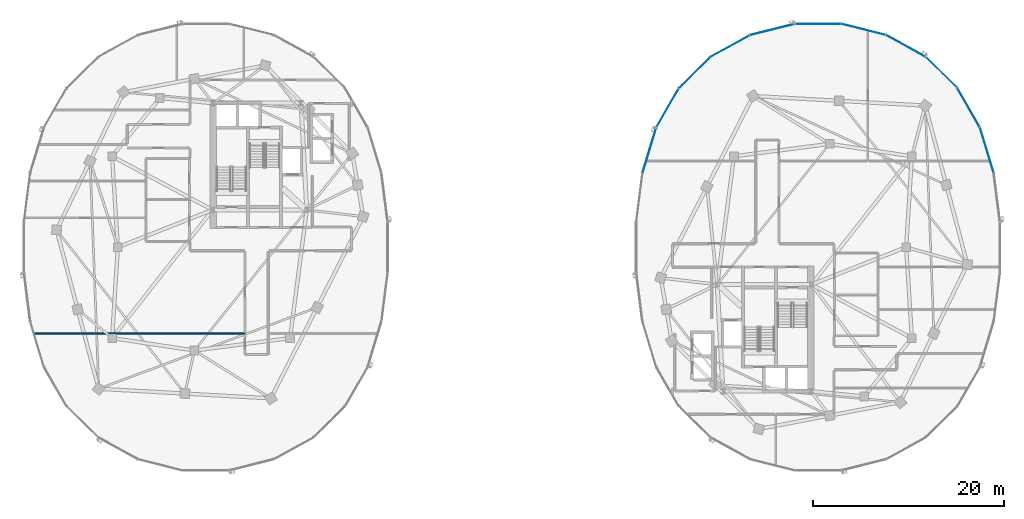
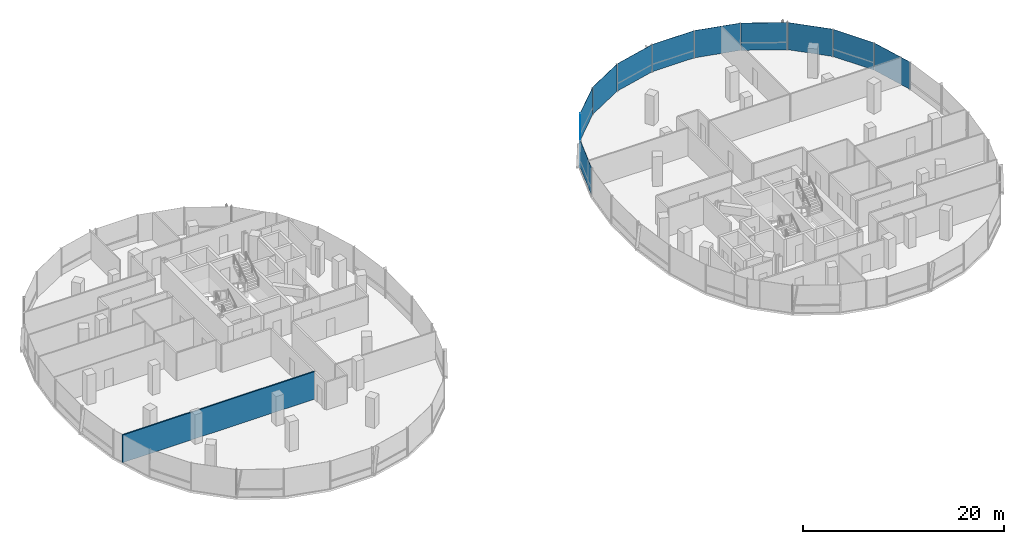
# One storey, part 11 of 22: 11 plates, 1 wall, 2 elements without a shape of their own.
"""IFC4 building model written with IfcOpenShell, lengths in metres."""

from ifc_helpers import new_model, si_unit, direction, frame, frame_2d, origin, origin_2d, place, context, subcontext, project, spatial, rectangle, extrude, material, layer, layer_set, type_object, element, aggregate, save


model = new_model("IFC4")

# Units and contexts
model_context = context("Model", 3, precision=1e-05, world=origin(), true_north=direction((0.0, 1.0)))
body_context = subcontext(model_context, "Body", "Model", "MODEL_VIEW")
ifc_project = project(units=[si_unit("LENGTHUNIT", "METRE"), si_unit("AREAUNIT", "SQUARE_METRE"), si_unit("VOLUMEUNIT", "CUBIC_METRE"), si_unit("PLANEANGLEUNIT", "RADIAN"), si_unit("MASSUNIT", "GRAM", prefix="KILO"), si_unit("THERMODYNAMICTEMPERATUREUNIT", "KELVIN"), si_unit("POWERUNIT", "WATT")], contexts=[model_context])

# Site, building, storey
site_placement = place(None, origin())
site = spatial("IfcSite", under=ifc_project, at=site_placement, CompositionType="ELEMENT")
building_placement = place(site_placement, origin())
building = spatial("IfcBuilding", under=site, at=building_placement, Name="Cundina Bronze Exchange", CompositionType="ELEMENT")
storey_placement = place(building_placement, frame((0.0, 0.0, 154.800048828125)))
storey = spatial("IfcBuildingStorey", under=building, at=storey_placement, Name="L40", CompositionType="ELEMENT", Elevation=154.800048828125)

# Curtain wall, plates
ifc_material_1 = material(Name="Anodised Bronze Aluminium 6063-T6", Category="aluminium")
curtain_wall_type = type_object("IfcCurtainWallType", Name="CWS-WST-PIN", PredefinedType="NOTDEFINED", material=ifc_material_1)
curtain_wall_1_placement = place(storey_placement, origin())
curtain_wall_1 = element("IfcCurtainWall", 1, at=curtain_wall_1_placement, inside=storey, type_object=curtain_wall_type, Name="L40 CW-04 Curtain Wall Run CWR-L40-E1", PredefinedType="NOTDEFINED")
ifc_material_2 = material(Name="Heat-Strengthened Solar-Control Bronze Safety Glass 28mm", Category="glass")
ifc_layer_1 = layer(ifc_material_2, 0.028076171875, Name="Heat-Strengthened Solar-Control Bronze Safety Glass 28mm", Category="glass")
ifc_layer_set_1 = layer_set([ifc_layer_1], Name="Heat-Strengthened Solar-Control Bronze Safety Glass 28mm")
plate_type_1 = type_object("IfcPlateType", Name="PLT-GLZ-VIS28", PredefinedType="CURTAIN_PANEL", material=ifc_layer_set_1)
plate_1_placement = place(storey_placement, frame((49.63330078125, 10.14208984375, 0.02001953125), z_axis=(0.0, 0.0, 1.0), x_axis=(-0.290050843957, 0.957011237092, 0.0)))
plate_1 = element("IfcPlate", 2, at=plate_1_placement, type_object=plate_type_1, Name="CW-04 Glazed Panel 2", PredefinedType="CURTAIN_PANEL", context=body_context, shape_type="SweptSolid", body=[
    extrude(rectangle(XDim=4.885009765625, YDim=0.028076171875, at=origin_2d()), origin(), (0.0, 0.0, 1.0), 3.320068359375),
])
plate_2_placement = place(storey_placement, frame((47.734375, 14.564697265625, 0.02001953125), z_axis=(0.0, 0.0, 1.0), x_axis=(-0.498487739754, 0.866896748936, 0.0)))
plate_2 = element("IfcPlate", 3, at=plate_2_placement, type_object=plate_type_1, Name="CW-04 Glazed Panel 3", PredefinedType="CURTAIN_PANEL", context=body_context, shape_type="SweptSolid", body=[
    extrude(rectangle(XDim=4.676513671875, YDim=0.028076171875, at=origin_2d()), origin(), (0.0, 0.0, 1.0), 3.320068359375),
])
plate_3_placement = place(storey_placement, frame((44.894775390625, 18.253662109375, 0.02001953125), z_axis=(0.0, 0.0, 1.0), x_axis=(-0.711989280367, 0.702190333629, 0.0)))
plate_3 = element("IfcPlate", 4, at=plate_3_placement, type_object=plate_type_1, Name="CW-04 Glazed Panel 4", PredefinedType="CURTAIN_PANEL", context=body_context, shape_type="SweptSolid", body=[
    extrude(rectangle(XDim=4.6025390625, YDim=0.028076171875, at=origin_2d()), origin(), (0.0, 0.0, 1.0), 3.320068359375),
])
plate_4_placement = place(storey_placement, frame((36.76513671875, 22.75244140625, 0.02001953125), z_axis=(0.0, 0.0, 1.0), x_axis=(-0.970092713791, 0.242734683656, 0.0)))
plate_4 = element("IfcPlate", 5, at=plate_4_placement, type_object=plate_type_1, Name="CW-04 Glazed Panel 6", PredefinedType="CURTAIN_PANEL", context=body_context, shape_type="SweptSolid", body=[
    extrude(rectangle(XDim=4.7548828125, YDim=0.028076171875, at=origin_2d()), origin(), (0.0, 0.0, 1.0), 3.320068359375),
])
plate_5_placement = place(storey_placement, frame((32.0, 23.3369140625, 0.02001953125), z_axis=(0.0, 0.0, 1.0), x_axis=(-1.0, 0.0, 0.0)))
plate_5 = element("IfcPlate", 6, at=plate_5_placement, type_object=plate_type_1, Name="CW-04 Glazed Panel 7", PredefinedType="CURTAIN_PANEL", context=body_context, shape_type="SweptSolid", body=[
    extrude(rectangle(XDim=4.7958984375, YDim=0.028076171875, at=origin_2d()), origin(), (0.0, 0.0, 1.0), 3.320068359375),
])

curtain_wall_2_placement = place(storey_placement, origin())
curtain_wall_2 = element("IfcCurtainWall", 7, at=curtain_wall_2_placement, inside=storey, type_object=curtain_wall_type, Name="L40 CW-04 Curtain Wall Run CWR-L40-E2", PredefinedType="NOTDEFINED")
plate_6_placement = place(storey_placement, frame((27.23486328125, 22.75244140625, 0.02001953125), z_axis=(0.0, 0.0, 1.0), x_axis=(-0.970092713791, -0.242734683656, 0.0)))
plate_6 = element("IfcPlate", 8, at=plate_6_placement, type_object=plate_type_1, Name="CW-04 Glazed Panel 1", PredefinedType="CURTAIN_PANEL", context=body_context, shape_type="SweptSolid", body=[
    extrude(rectangle(XDim=4.7548828125, YDim=0.028076171875, at=origin_2d()), origin(), (0.0, 0.0, 1.0), 3.320068359375),
])
plate_7_placement = place(storey_placement, frame((22.83154296875, 21.02880859375, 0.02001953125), z_axis=(0.0, 0.0, 1.0), x_axis=(-0.875869093438, -0.482548786301, 0.0)))
plate_7 = element("IfcPlate", 9, at=plate_7_placement, type_object=plate_type_1, Name="CW-04 Glazed Panel 2", PredefinedType="CURTAIN_PANEL", context=body_context, shape_type="SweptSolid", body=[
    extrude(rectangle(XDim=4.661865234375, YDim=0.028076171875, at=origin_2d()), origin(), (0.0, 0.0, 1.0), 3.320068359375),
])
plate_8_placement = place(storey_placement, frame((19.105224609375, 18.253662109375, 0.02001953125), z_axis=(0.0, 0.0, 1.0), x_axis=(-0.711989280367, -0.702190333629, 0.0)))
plate_8 = element("IfcPlate", 10, at=plate_8_placement, type_object=plate_type_1, Name="CW-04 Glazed Panel 3", PredefinedType="CURTAIN_PANEL", context=body_context, shape_type="SweptSolid", body=[
    extrude(rectangle(XDim=4.6025390625, YDim=0.028076171875, at=origin_2d()), origin(), (0.0, 0.0, 1.0), 3.320068359375),
])
plate_9_placement = place(storey_placement, frame((14.36669921875, 10.14208984375, 0.02001953125), z_axis=(0.0, 0.0, 1.0), x_axis=(-0.290050843957, -0.957011237092, 0.0)))
plate_9 = element("IfcPlate", 11, at=plate_9_placement, type_object=plate_type_1, Name="CW-04 Glazed Panel 5", PredefinedType="CURTAIN_PANEL", context=body_context, shape_type="SweptSolid", body=[
    extrude(rectangle(XDim=4.885009765625, YDim=0.028076171875, at=origin_2d()), origin(), (0.0, 0.0, 1.0), 3.320068359375),
])

# Plate
ifc_material_3 = material(Name="Dark Bronze Spandrel Glass Panel 32mm", Category="glass")
ifc_layer_2 = layer(ifc_material_3, 0.031982421875, Name="Dark Bronze Spandrel Glass Panel 32mm", Category="glass")
ifc_layer_set_2 = layer_set([ifc_layer_2], Name="Dark Bronze Spandrel Glass Panel 32mm")
plate_type_2 = type_object("IfcPlateType", Name="PLT-SPN-BRZ32", PredefinedType="CURTAIN_PANEL", material=ifc_layer_set_2)
plate_10_placement = place(storey_placement, frame((41.16845703125, 21.02880859375, 0.02001953125), z_axis=(0.0, 0.0, 1.0), x_axis=(-0.875869093438, 0.482548786301, 0.0)))
plate_10 = element("IfcPlate", 12, at=plate_10_placement, type_object=plate_type_2, Name="CW-04 Glazed Panel 5", PredefinedType="CURTAIN_PANEL", context=body_context, shape_type="SweptSolid", body=[
    extrude(rectangle(XDim=4.661865234375, YDim=0.031982421875, at=origin_2d()), origin(), (0.0, 0.0, 1.0), 3.320068359375),
])

aggregate(curtain_wall_1, [plate_1, plate_2, plate_3, plate_10, plate_4, plate_5])

plate_11_placement = place(storey_placement, frame((16.265625, 14.564697265625, 0.02001953125), z_axis=(0.0, 0.0, 1.0), x_axis=(-0.498487739754, -0.866896748936, 0.0)))
plate_11 = element("IfcPlate", 13, at=plate_11_placement, type_object=plate_type_2, Name="CW-04 Glazed Panel 4", PredefinedType="CURTAIN_PANEL", context=body_context, shape_type="SweptSolid", body=[
    extrude(rectangle(XDim=4.676513671875, YDim=0.031982421875, at=origin_2d()), origin(), (0.0, 0.0, 1.0), 3.320068359375),
])

aggregate(curtain_wall_2, [plate_6, plate_7, plate_8, plate_11, plate_9])

# Wall
ifc_material_4 = material(Name="Gypsum Acoustic Partition EI60")
ifc_layer_3 = layer(ifc_material_4, 0.14990234375, Name="Gypsum Acoustic Partition EI60")
ifc_layer_set_3 = layer_set([ifc_layer_3], Name="Gypsum Acoustic Partition EI60")
wall_type = type_object("IfcWallType", Name="WL-TEN-150", PredefinedType="PARTITIONING", material=ifc_layer_set_3)
wall_placement = place(storey_placement, frame((-50.04541015625, -9.010009765625, 0.0), z_axis=(0.0, 0.0, 1.0), x_axis=(1.0, 0.0, 0.0)))
element("IfcWall", 14, at=wall_placement, inside=storey, type_object=wall_type, Name="L40 Interior Partition 016", PredefinedType="PARTITIONING", context=body_context, shape_type="SweptSolid", body=[
    extrude(rectangle(XDim=22.095458984375, YDim=0.14990234375, at=frame_2d((11.0478515625, 0.0))), origin(), (0.0, 0.0, 1.0), 3.35986328125),
])

save(model, "model.ifc")
